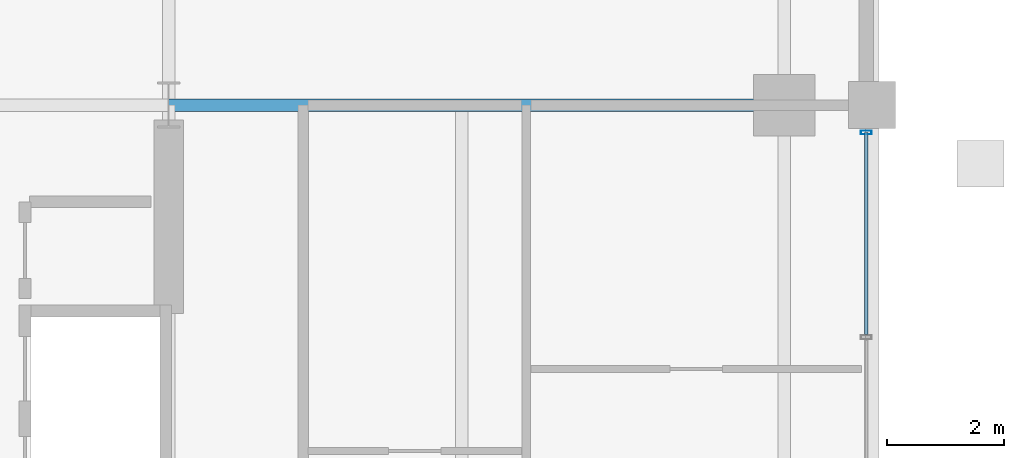
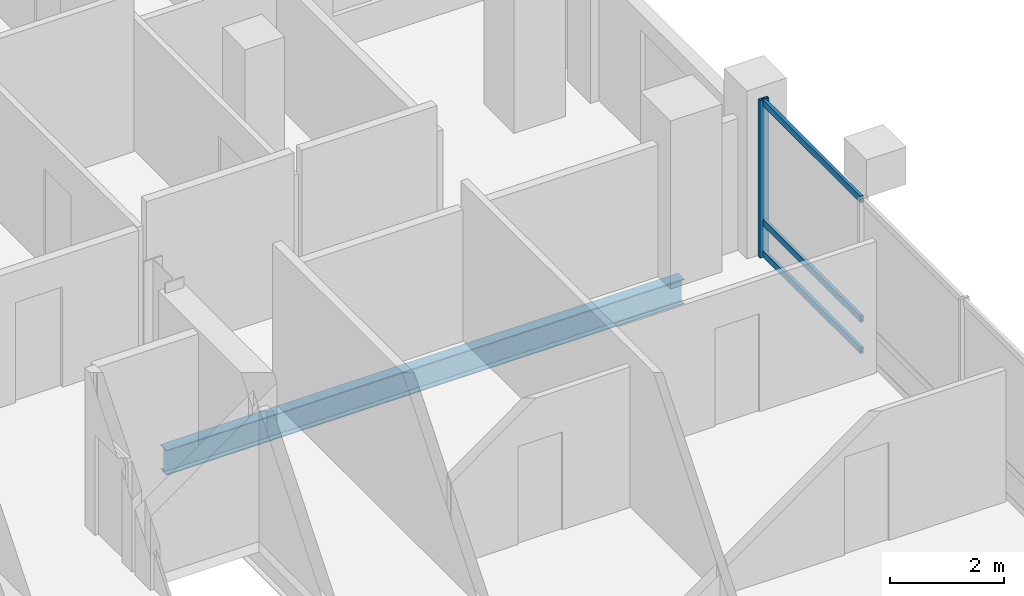
# One storey, part 11 of 24: 4 members, 1 beam, 1 element without a shape of its own.
"""IFC4 building model written with IfcOpenShell, lengths in metres."""

from ifc_helpers import new_model, si_unit, direction, frame, origin, origin_2d, place, context, subcontext, project, spatial, hollow_rectangle, i_section, extrude, material, layer, layer_set, material_profile, profile_set, type_object, element, aggregate, save


model = new_model("IFC4")

# Units and contexts
model_context = context("Model", 3, precision=1e-05, world=origin(), true_north=direction((0.0, 1.0)))
body_context = subcontext(model_context, "Body", "Model", "MODEL_VIEW")
ifc_project = project(units=[si_unit("LENGTHUNIT", "METRE"), si_unit("AREAUNIT", "SQUARE_METRE"), si_unit("VOLUMEUNIT", "CUBIC_METRE"), si_unit("PLANEANGLEUNIT", "RADIAN"), si_unit("MASSUNIT", "GRAM", prefix="KILO")], contexts=[model_context])

# Site, building, storey
site_placement = place(None, origin())
site = spatial("IfcSite", under=ifc_project, at=site_placement, CompositionType="ELEMENT")
building_placement = place(site_placement, origin())
building = spatial("IfcBuilding", under=site, at=building_placement, Name="Barlavira Tower and Art Museum", CompositionType="ELEMENT")
storey_placement = place(building_placement, frame((0.0, 0.0, 180.0)))
storey = spatial("IfcBuildingStorey", under=building, at=storey_placement, Name="L46", CompositionType="ELEMENT", Elevation=180.0)

# Curtain wall, members
ifc_material_1 = material(Name="Low-iron coastal laminated glass", Category="glass")
ifc_layer = layer(ifc_material_1, 0.199951171875, Name="Low-iron coastal laminated glass")
ifc_layer_set = layer_set([ifc_layer], Name="Low-iron coastal laminated glass")
curtain_wall_type = type_object("IfcCurtainWallType", Name="Pale-Metal Unitised Curtain Wall Zone 3", PredefinedType="NOTDEFINED", material=ifc_layer_set)
curtain_wall_placement = place(storey_placement, origin())
curtain_wall = element("IfcCurtainWall", 1, at=curtain_wall_placement, inside=storey, type_object=curtain_wall_type, Name="L46 Curtain Wall CW3-L46-E-B3", PredefinedType="NOTDEFINED")
ifc_material_2 = material(Name="Pale anodised aluminium", Category="aluminium")
ifc_material_profile_1 = material_profile(ifc_material_2, hollow_rectangle(XDim=0.06494140625, YDim=0.179931640625, WallThickness=0.00390625, at=origin_2d()), Name="ALU-MULL 65x180x4")
ifc_profile_set_1 = profile_set([ifc_material_profile_1], Name="Pale anodised aluminium")
member_type_1 = type_object("IfcMemberType", Name="Curtain Wall Pale-Metal Mullion 65x180", PredefinedType="MULLION", material=ifc_profile_set_1)
member_1_placement = place(storey_placement, frame((18.39990234375, 7.034912109375, 0.0), z_axis=(0.0, 0.0, 1.0), x_axis=(0.0, 1.0, 0.0)))
member_1 = element("IfcMember", 2, at=member_1_placement, type_object=member_type_1, Name="CW3-L46-E-B3 Mullion 4", PredefinedType="MULLION", context=body_context, shape_type="SweptSolid", body=[
    extrude(hollow_rectangle(XDim=0.06494140625, YDim=0.179931640625, WallThickness=0.00390625, at=origin_2d()), origin(), (0.0, 0.0, 1.0), 3.3798828125),
])
ifc_material_profile_2 = material_profile(ifc_material_2, hollow_rectangle(XDim=0.06494140625, YDim=0.139892578125, WallThickness=0.00390625, at=origin_2d()), Name="ALU-TRAN 65x140x4")
ifc_profile_set_2 = profile_set([ifc_material_profile_2], Name="Pale anodised aluminium")
member_type_2 = type_object("IfcMemberType", Name="Curtain Wall Pale-Metal Transom 65x140", PredefinedType="USERDEFINED", material=ifc_profile_set_2)
member_2_placement = place(storey_placement, frame((18.39990234375, 3.5849609375, 0.070068359375), z_axis=(0.0, 1.0, 0.0), x_axis=(-1.0, 0.0, 0.0)))
member_2 = element("IfcMember", 3, at=member_2_placement, type_object=member_type_2, Name="CW3-L46-E-B3 Transom 3.1", ObjectType="TRANSOM", PredefinedType="USERDEFINED", context=body_context, shape_type="SweptSolid", body=[
    extrude(hollow_rectangle(XDim=0.06494140625, YDim=0.139892578125, WallThickness=0.00390625, at=origin_2d()), origin(), (0.0, 0.0, 1.0), 3.449951171875),
])
member_3_placement = place(storey_placement, frame((18.39990234375, 3.5849609375, 0.743896484375), z_axis=(0.0, 1.0, 0.0), x_axis=(-1.0, 0.0, 0.0)))
member_3 = element("IfcMember", 4, at=member_3_placement, type_object=member_type_2, Name="CW3-L46-E-B3 Transom 3.2", ObjectType="TRANSOM", PredefinedType="USERDEFINED", context=body_context, shape_type="SweptSolid", body=[
    extrude(hollow_rectangle(XDim=0.06494140625, YDim=0.139892578125, WallThickness=0.00390625, at=origin_2d()), origin(), (0.0, 0.0, 1.0), 3.449951171875),
])
member_4_placement = place(storey_placement, frame((18.39990234375, 3.5849609375, 3.31005859375), z_axis=(0.0, 1.0, 0.0), x_axis=(-1.0, 0.0, 0.0)))
member_4 = element("IfcMember", 5, at=member_4_placement, type_object=member_type_2, Name="CW3-L46-E-B3 Transom 3.3", ObjectType="TRANSOM", PredefinedType="USERDEFINED", context=body_context, shape_type="SweptSolid", body=[
    extrude(hollow_rectangle(XDim=0.06494140625, YDim=0.139892578125, WallThickness=0.00390625, at=origin_2d()), origin(), (0.0, 0.0, 1.0), 3.449951171875),
])
aggregate(curtain_wall, [member_1, member_2, member_3, member_4])

# Beam
ifc_material_3 = material(Name="Steel S355", Category="steel")
ifc_material_profile_3 = material_profile(ifc_material_3, i_section(OverallWidth=0.2109375, OverallDepth=0.5390625, WebThickness=0.01171875, FlangeThickness=0.018798828125, at=origin_2d()), Name="W530x109.0")
ifc_profile_set_3 = profile_set([ifc_material_profile_3], Name="Steel S355")
beam_type = type_object("IfcBeamType", Name="Zone 3-4 Primary Floor Girder W530x109 Steel S355", PredefinedType="BEAM", material=ifc_profile_set_3)
beam_placement = place(storey_placement, frame((6.5, 7.5, -0.489501953125), z_axis=(1.0, 0.0, 0.0), x_axis=(0.0, 1.0, 0.0)))
element("IfcBeam", 6, at=beam_placement, inside=storey, type_object=beam_type, Name="L46 Girder R-E2", PredefinedType="BEAM", context=body_context, shape_type="SweptSolid", body=[
    extrude(i_section(OverallWidth=0.2109375, OverallDepth=0.5390625, WebThickness=0.01171875, FlangeThickness=0.018798828125, at=origin_2d()), origin(), (0.0, 0.0, 1.0), 10.5),
])

save(model, "model.ifc")
